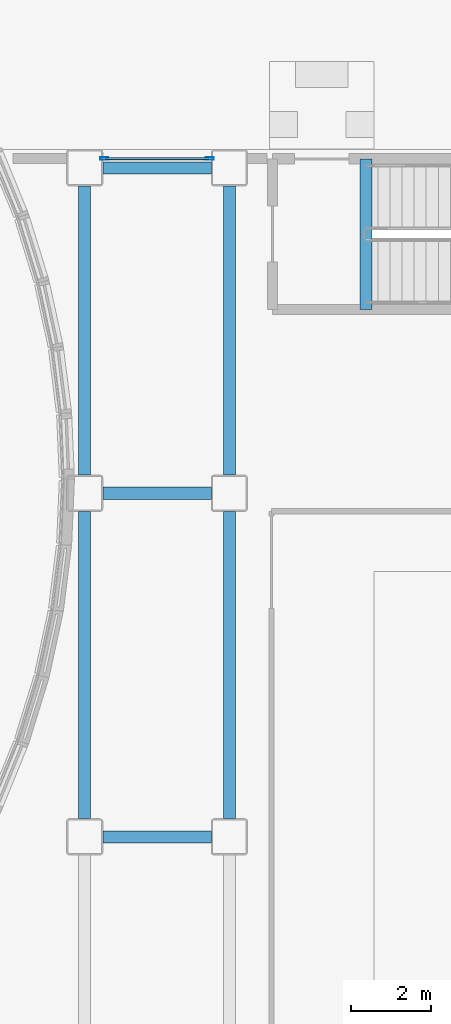
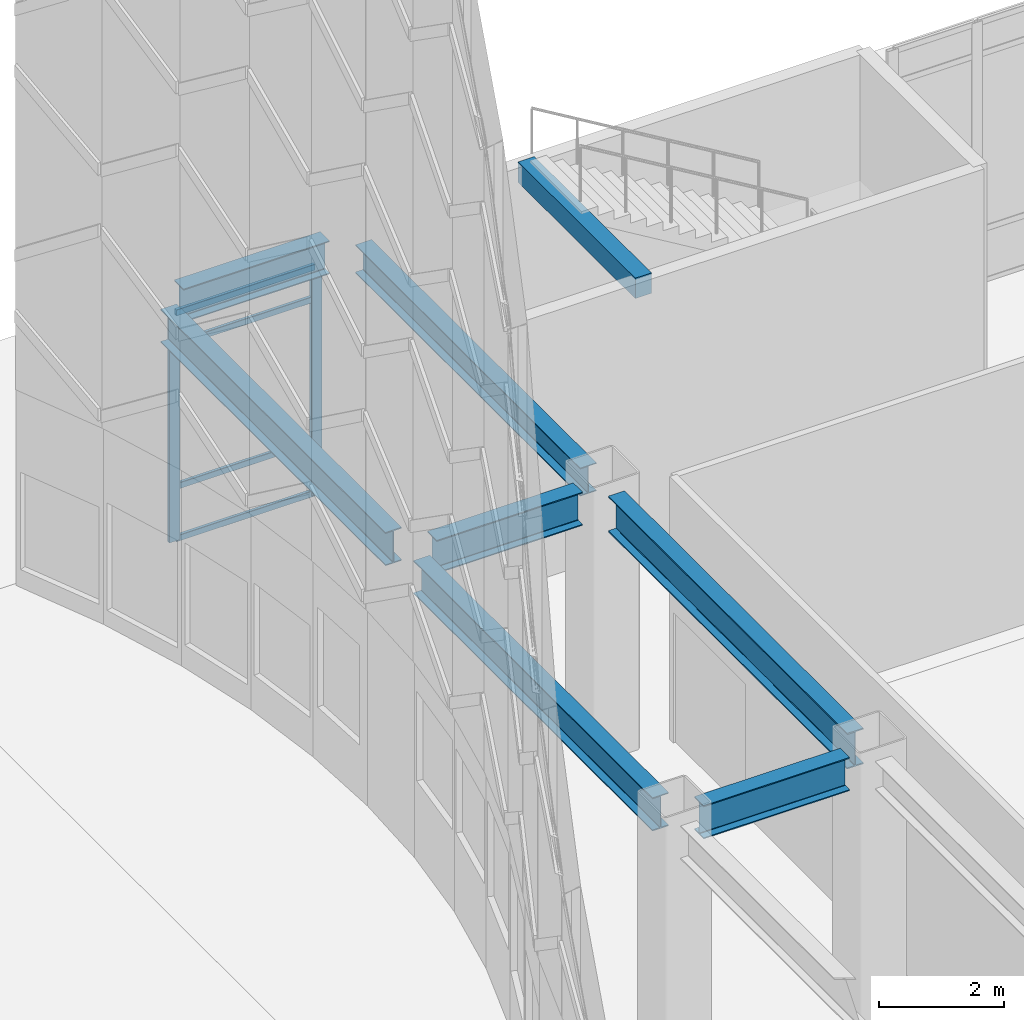
# One storey, part 65 of 165: 8 beams, 6 members, 1 element without a shape of its own.
"""IFC4 building model written with IfcOpenShell, lengths in metres."""

from ifc_helpers import new_model, si_unit, direction, frame, origin, origin_2d, place, context, subcontext, project, spatial, rectangle, hollow_rectangle, i_section, extrude, material, layer, layer_set, material_profile, profile_set, type_object, element, aggregate, save


model = new_model("IFC4")

# Units and contexts
model_context = context("Model", 3, precision=1e-05, world=origin(), true_north=direction((0.0, 1.0)))
body_context = subcontext(model_context, "Body", "Model", "MODEL_VIEW")
ifc_project = project(units=[si_unit("LENGTHUNIT", "METRE"), si_unit("AREAUNIT", "SQUARE_METRE"), si_unit("VOLUMEUNIT", "CUBIC_METRE"), si_unit("PLANEANGLEUNIT", "RADIAN"), si_unit("MASSUNIT", "GRAM", prefix="KILO")], contexts=[model_context])

# Site, building, storey
site_placement = place(None, origin())
site = spatial("IfcSite", under=ifc_project, at=site_placement, CompositionType="ELEMENT")
building_placement = place(site_placement, origin())
building = spatial("IfcBuilding", under=site, at=building_placement, Name="Kazehara Bluff Congress Hotel", CompositionType="ELEMENT")
storey_placement = place(building_placement, origin())
storey = spatial("IfcBuildingStorey", under=building, at=storey_placement, Name="L00", CompositionType="ELEMENT", Elevation=0.0)

# Curtain wall, members
ifc_material_1 = material(Name="Anodised aluminium", Category="aluminium")
ifc_layer = layer(ifc_material_1, 0.159912109375)
ifc_layer_set = layer_set([ifc_layer], Name="Anodised aluminium")
curtain_wall_type = type_object("IfcCurtainWallType", Name="TP-CW-94", PredefinedType="NOTDEFINED", material=ifc_layer_set)
curtain_wall_placement = place(storey_placement, origin())
curtain_wall = element("IfcCurtainWall", 1, at=curtain_wall_placement, inside=storey, type_object=curtain_wall_type, Name="L00 curtain wall CW-94 CW-ENC-V1-L00-660-11378", PredefinedType="NOTDEFINED")
ifc_material_2 = material(Name="Anodised aluminium", Category="aluminium")
ifc_material_profile_1 = material_profile(ifc_material_2, hollow_rectangle(XDim=0.070068359375, YDim=0.199951171875, WallThickness=0.0048828125, InnerFilletRadius=0.0048828125, OuterFilletRadius=0.010009765625, at=origin_2d()))
ifc_profile_set_1 = profile_set([ifc_material_profile_1], Name="Anodised aluminium")
member_type_1 = type_object("IfcMemberType", Name="TP-CWM-03", PredefinedType="MULLION", material=ifc_profile_set_1)
member_1_placement = place(storey_placement, frame((5.284912109375, 113.780029296875, 0.0), z_axis=(0.0, 0.0, 1.0), x_axis=(0.0, 1.0, 0.0)))
member_1 = element("IfcMember", 2, at=member_1_placement, type_object=member_type_1, Name="CW-94 mullion 1", PredefinedType="MULLION", context=body_context, shape_type="SweptSolid", body=[
    extrude(hollow_rectangle(XDim=0.070068359375, YDim=0.199951171875, WallThickness=0.0048828125, InnerFilletRadius=0.0048828125, OuterFilletRadius=0.010009765625, at=origin_2d()), origin(), (0.0, 0.0, 1.0), 4.47509765625),
])
member_2_placement = place(storey_placement, frame((7.9150390625, 113.780029296875, 0.0), z_axis=(0.0, 0.0, 1.0), x_axis=(0.0, 1.0, 0.0)))
member_2 = element("IfcMember", 3, at=member_2_placement, type_object=member_type_1, Name="CW-94 mullion 2", PredefinedType="MULLION", context=body_context, shape_type="SweptSolid", body=[
    extrude(hollow_rectangle(XDim=0.070068359375, YDim=0.199951171875, WallThickness=0.0048828125, InnerFilletRadius=0.0048828125, OuterFilletRadius=0.010009765625, at=origin_2d()), origin(), (0.0, 0.0, 1.0), 4.47509765625),
])
ifc_material_3 = material(Name="Anodised aluminium", Category="aluminium")
ifc_material_profile_2 = material_profile(ifc_material_3, hollow_rectangle(XDim=0.06005859375, YDim=0.1201171875, WallThickness=0.00390625, InnerFilletRadius=0.00390625, OuterFilletRadius=0.008056640625, at=origin_2d()))
ifc_profile_set_2 = profile_set([ifc_material_profile_2], Name="Anodised aluminium")
member_type_2 = type_object("IfcMemberType", Name="TP-CWT-01", PredefinedType="USERDEFINED", material=ifc_profile_set_2)
member_3_placement = place(storey_placement, frame((5.320068359375, 113.780029296875, 0.030029296875), z_axis=(1.0, 0.0, 0.0), x_axis=(0.0, 1.0, 0.0)))
member_3 = element("IfcMember", 4, at=member_3_placement, type_object=member_type_2, Name="CW-94 transom 1.1", ObjectType="TRANSOM", PredefinedType="USERDEFINED", context=body_context, shape_type="SweptSolid", body=[
    extrude(hollow_rectangle(XDim=0.06005859375, YDim=0.1201171875, WallThickness=0.00390625, InnerFilletRadius=0.00390625, OuterFilletRadius=0.008056640625, at=origin_2d()), origin(), (0.0, 0.0, 1.0), 2.559814453125),
])
member_4_placement = place(storey_placement, frame((5.320068359375, 113.780029296875, 1.050048828125), z_axis=(1.0, 0.0, 0.0), x_axis=(0.0, 1.0, 0.0)))
member_4 = element("IfcMember", 5, at=member_4_placement, type_object=member_type_2, Name="CW-94 transom 1.2", ObjectType="TRANSOM", PredefinedType="USERDEFINED", context=body_context, shape_type="SweptSolid", body=[
    extrude(hollow_rectangle(XDim=0.06005859375, YDim=0.1201171875, WallThickness=0.00390625, InnerFilletRadius=0.00390625, OuterFilletRadius=0.008056640625, at=origin_2d()), origin(), (0.0, 0.0, 1.0), 2.559814453125),
])
member_5_placement = place(storey_placement, frame((5.320068359375, 113.780029296875, 3.824951171875), z_axis=(1.0, 0.0, 0.0), x_axis=(0.0, 1.0, 0.0)))
member_5 = element("IfcMember", 6, at=member_5_placement, type_object=member_type_2, Name="CW-94 transom 1.3", ObjectType="TRANSOM", PredefinedType="USERDEFINED", context=body_context, shape_type="SweptSolid", body=[
    extrude(hollow_rectangle(XDim=0.06005859375, YDim=0.1201171875, WallThickness=0.00390625, InnerFilletRadius=0.00390625, OuterFilletRadius=0.008056640625, at=origin_2d()), origin(), (0.0, 0.0, 1.0), 2.559814453125),
])
member_6_placement = place(storey_placement, frame((5.320068359375, 113.780029296875, 4.445068359375), z_axis=(1.0, 0.0, 0.0), x_axis=(0.0, 1.0, 0.0)))
member_6 = element("IfcMember", 7, at=member_6_placement, type_object=member_type_2, Name="CW-94 transom 1.4", ObjectType="TRANSOM", PredefinedType="USERDEFINED", context=body_context, shape_type="SweptSolid", body=[
    extrude(hollow_rectangle(XDim=0.06005859375, YDim=0.1201171875, WallThickness=0.00390625, InnerFilletRadius=0.00390625, OuterFilletRadius=0.008056640625, at=origin_2d()), origin(), (0.0, 0.0, 1.0), 2.559814453125),
])
aggregate(curtain_wall, [member_1, member_2, member_3, member_4, member_5, member_6])

# Beams
ifc_material_4 = material(Name="Steel SN490B", Category="steel")
ifc_material_profile_3 = material_profile(ifc_material_4, i_section(OverallWidth=0.300048828125, OverallDepth=0.64990234375, WebThickness=0.011962890625, FlangeThickness=0.02001953125, FilletRadius=0.012939453125, at=origin_2d()))
ifc_profile_set_3 = profile_set([ifc_material_profile_3], Name="Steel SN490B")
beam_type_1 = type_object("IfcBeamType", Name="TP-G-03", PredefinedType="BEAM", material=ifc_profile_set_3)
beam_1_placement = place(storey_placement, frame((4.800048828125, 97.35009765625, 4.824951171875), z_axis=(0.0, 1.0, 0.0), x_axis=(-1.0, 0.0, 0.0)))
element("IfcBeam", 8, at=beam_1_placement, inside=storey, type_object=beam_type_1, Name="L00 girder G-03 7", PredefinedType="BEAM", context=body_context, shape_type="SweptSolid", body=[
    extrude(i_section(OverallWidth=0.300048828125, OverallDepth=0.64990234375, WebThickness=0.011962890625, FlangeThickness=0.02001953125, FilletRadius=0.012939453125, at=origin_2d()), origin(), (0.0, 0.0, 1.0), 7.64990234375),
])
beam_2_placement = place(storey_placement, frame((4.800048828125, 105.89990234375, 4.824951171875), z_axis=(0.0, 1.0, 0.0), x_axis=(-1.0, 0.0, 0.0)))
element("IfcBeam", 9, at=beam_2_placement, inside=storey, type_object=beam_type_1, Name="L00 girder G-03 8", PredefinedType="BEAM", context=body_context, shape_type="SweptSolid", body=[
    extrude(i_section(OverallWidth=0.300048828125, OverallDepth=0.64990234375, WebThickness=0.011962890625, FlangeThickness=0.02001953125, FilletRadius=0.012939453125, at=origin_2d()), origin(), (0.0, 0.0, 1.0), 7.2001953125),
])
for number, where, z_axis, x_axis, name in (
    (10, (5.25, 96.89990234375, 4.824951171875), (1.0, 0.0, 0.0), (0.0, 1.0, 0.0), "L00 girder G-03 36"),
    (11, (5.25, 105.449951171875, 4.824951171875), (1.0, 0.0, 0.0), (0.0, 1.0, 0.0), "L00 girder G-03 37"),
    (12, (5.25, 113.550048828125, 4.824951171875), (1.0, 0.0, 0.0), (0.0, 1.0, 0.0), "L00 girder G-03 38"),
):
    element("IfcBeam", number, at=place(storey_placement, frame(where, z_axis=z_axis, x_axis=x_axis)), inside=storey, type_object=beam_type_1, Name=name, PredefinedType="BEAM", context=body_context, shape_type="SweptSolid", body=[
        extrude(i_section(OverallWidth=0.300048828125, OverallDepth=0.64990234375, WebThickness=0.011962890625, FlangeThickness=0.02001953125, FilletRadius=0.012939453125, at=origin_2d()), origin(), (0.0, 0.0, 1.0), 2.699951171875),
    ])
ifc_material_5 = material(Name="Concrete C40/50", Category="concrete")
ifc_material_profile_4 = material_profile(ifc_material_5, rectangle(XDim=0.300048828125, YDim=0.39990234375, at=origin_2d()))
ifc_profile_set_4 = profile_set([ifc_material_profile_4], Name="Concrete C40/50")
beam_type_2 = type_object("IfcBeamType", Name="TP-LN-02", PredefinedType="LINTEL", material=ifc_profile_set_4)
beam_3_placement = place(storey_placement, frame((11.800048828125, 110.02490234375, 4.969970703125), z_axis=(0.0, 1.0, 0.0), x_axis=(-1.0, 0.0, 0.0)))
element("IfcBeam", 13, at=beam_3_placement, inside=storey, type_object=beam_type_2, Name="L01 ST-01 stairwell trimmer beam", PredefinedType="LINTEL", context=body_context, shape_type="SweptSolid", body=[
    extrude(rectangle(XDim=0.300048828125, YDim=0.39990234375, at=origin_2d()), origin(), (0.0, 0.0, 1.0), 3.75),
])
ifc_material_6 = material(Name="Steel SN490B", Category="steel")
ifc_material_profile_5 = material_profile(ifc_material_6, i_section(OverallWidth=0.300048828125, OverallDepth=0.550048828125, WebThickness=0.010986328125, FlangeThickness=0.01806640625, FilletRadius=0.012939453125, at=origin_2d()))
ifc_profile_set_5 = profile_set([ifc_material_profile_5], Name="Steel SN490B")
beam_type_3 = type_object("IfcBeamType", Name="TP-SP-01", PredefinedType="SPANDREL", material=ifc_profile_set_5)
beam_4_placement = place(storey_placement, frame((8.39990234375, 105.89990234375, 4.875), z_axis=(0.0, 1.0, 0.0), x_axis=(-1.0, 0.0, 0.0)))
element("IfcBeam", 14, at=beam_4_placement, inside=storey, type_object=beam_type_3, Name="L00 girder SP-01 16", PredefinedType="SPANDREL", context=body_context, shape_type="SweptSolid", body=[
    extrude(i_section(OverallWidth=0.300048828125, OverallDepth=0.550048828125, WebThickness=0.010986328125, FlangeThickness=0.01806640625, FilletRadius=0.012939453125, at=origin_2d()), origin(), (0.0, 0.0, 1.0), 7.2001953125),
])
ifc_material_7 = material(Name="Steel SN490B", Category="steel")
ifc_material_profile_6 = material_profile(ifc_material_7, i_section(OverallWidth=0.300048828125, OverallDepth=0.699951171875, WebThickness=0.012939453125, FlangeThickness=0.02392578125, FilletRadius=0.01806640625, at=origin_2d()))
ifc_profile_set_6 = profile_set([ifc_material_profile_6], Name="Steel SN490B")
beam_type_4 = type_object("IfcBeamType", Name="TP-SP-03", PredefinedType="SPANDREL", material=ifc_profile_set_6)
beam_5_placement = place(storey_placement, frame((8.39990234375, 97.35009765625, 4.800048828125), z_axis=(0.0, 1.0, 0.0), x_axis=(-1.0, 0.0, 0.0)))
element("IfcBeam", 15, at=beam_5_placement, inside=storey, type_object=beam_type_4, Name="L00 girder SP-03 15", PredefinedType="SPANDREL", context=body_context, shape_type="SweptSolid", body=[
    extrude(i_section(OverallWidth=0.300048828125, OverallDepth=0.699951171875, WebThickness=0.012939453125, FlangeThickness=0.02392578125, FilletRadius=0.01806640625, at=origin_2d()), origin(), (0.0, 0.0, 1.0), 7.64990234375),
])

save(model, "model.ifc")
